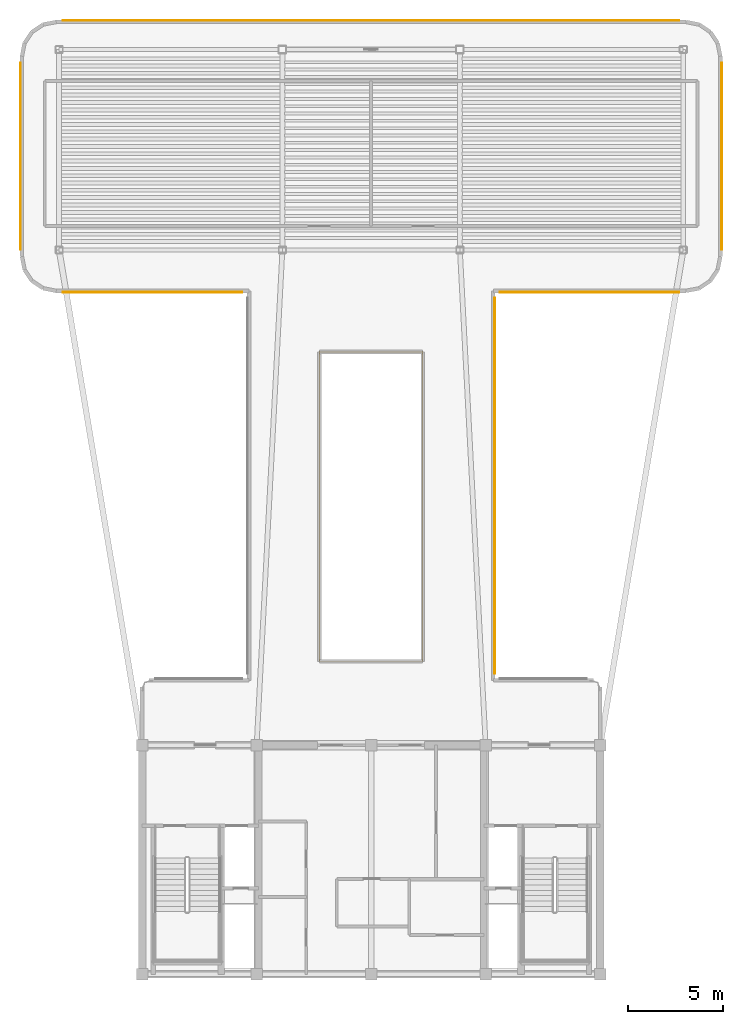
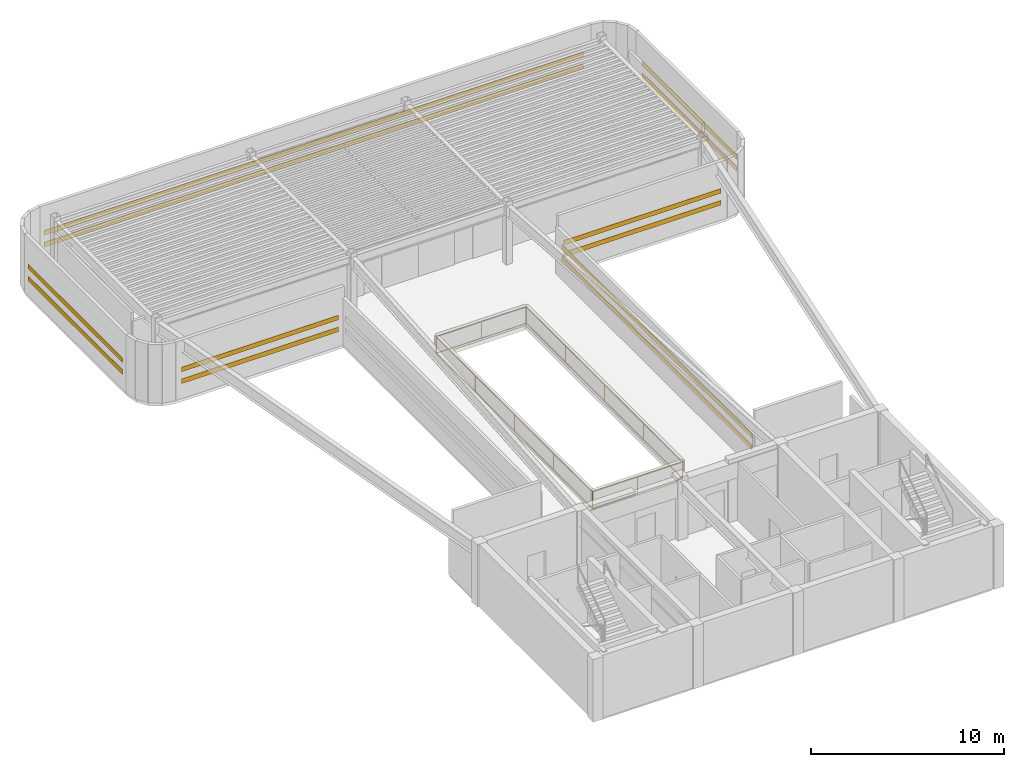
# One storey, part 6 of 6: 12 shading devices, 1 railing.
"""IFC4 building model written with IfcOpenShell, lengths in metres."""

from ifc_helpers import new_model, si_unit, direction, frame, origin, origin_2d, place, context, subcontext, project, spatial, rectangle, extrude, source, transform, mapped, material, layer, layer_set, material_profile, profile_set, type_object, element, save


model = new_model("IFC4")

# Units and contexts
model_context = context("Model", 3, precision=1e-05, world=origin(), true_north=direction((0.0, 1.0)))
body_context = subcontext(model_context, "Body", "Model", "MODEL_VIEW")
ifc_project = project(units=[si_unit("LENGTHUNIT", "METRE"), si_unit("AREAUNIT", "SQUARE_METRE"), si_unit("VOLUMEUNIT", "CUBIC_METRE"), si_unit("PLANEANGLEUNIT", "RADIAN"), si_unit("MASSUNIT", "GRAM", prefix="KILO")], contexts=[model_context])

# Site, building, storey
site_placement = place(None, origin())
site = spatial("IfcSite", under=ifc_project, at=site_placement, CompositionType="ELEMENT")
building_placement = place(site_placement, origin())
building = spatial("IfcBuilding", under=site, at=building_placement, Name="Brelvock Crest Care Tower", CompositionType="ELEMENT")
storey_placement = place(building_placement, frame((0.0, 0.0, 299.8798828125)))
storey = spatial("IfcBuildingStorey", under=building, at=storey_placement, Name="L76", CompositionType="ELEMENT", Elevation=299.8798828125)

# Railing
ifc_material_1 = material(Name="Steel Grade 350", Category="steel")
ifc_layer = layer(ifc_material_1, 0.06005859375, Name="RL-GRD1")
ifc_layer_set = layer_set([ifc_layer], Name="Steel Grade 350")
railing_type = type_object("IfcRailingType", Name="RL-GRD1", PredefinedType="GUARDRAIL", material=ifc_layer_set)
railing_placement = place(storey_placement, frame((33.300048828125, 22.39990234375, 0.004150390625)))
element("IfcRailing", 1, at=railing_placement, inside=storey, type_object=railing_type, Name="L76 Safety Balustrade PORTAL", PredefinedType="GUARDRAIL", context=body_context, shape_type="SweptSolid", body=[
    extrude(rectangle(XDim=0.048095703125, YDim=0.048095703125, at=origin_2d()), frame((0.001953125, 0.0, 1.09619140625), z_axis=(1.0, 0.0, 0.0), x_axis=(0.0, 1.0, 0.0)), (0.0, 0.0, 1.0), 5.39599609375),
    extrude(rectangle(XDim=0.048095703125, YDim=0.048095703125, at=origin_2d()), frame((0.001953125, 0.0, 0.054931640625), z_axis=(1.0, 0.0, 0.0), x_axis=(0.0, 1.0, 0.0)), (0.0, 0.0, 1.0), 5.39599609375),
    extrude(rectangle(XDim=0.048095703125, YDim=0.048095703125, at=origin_2d()), frame((5.39990234375, 0.001953125, 1.09619140625), z_axis=(0.0, 1.0, 0.0), x_axis=(-1.0, 0.0, 0.0)), (0.0, 0.0, 1.0), 16.1962890625),
    extrude(rectangle(XDim=0.048095703125, YDim=0.048095703125, at=origin_2d()), frame((5.39990234375, 0.001953125, 0.054931640625), z_axis=(0.0, 1.0, 0.0), x_axis=(-1.0, 0.0, 0.0)), (0.0, 0.0, 1.0), 16.1962890625),
    extrude(rectangle(XDim=0.048095703125, YDim=0.048095703125, at=origin_2d()), frame((5.39794921875, 16.2001953125, 1.09619140625), z_axis=(-1.0, 0.0, 0.0), x_axis=(0.0, -1.0, 0.0)), (0.0, 0.0, 1.0), 5.39599609375),
    extrude(rectangle(XDim=0.048095703125, YDim=0.048095703125, at=origin_2d()), frame((5.39794921875, 16.2001953125, 0.054931640625), z_axis=(-1.0, 0.0, 0.0), x_axis=(0.0, -1.0, 0.0)), (0.0, 0.0, 1.0), 5.39599609375),
    extrude(rectangle(XDim=0.048095703125, YDim=0.048095703125, at=origin_2d()), frame((0.0, 16.1982421875, 1.09619140625), z_axis=(0.0, -1.0, 0.0), x_axis=(1.0, 0.0, 0.0)), (0.0, 0.0, 1.0), 16.1962890625),
    extrude(rectangle(XDim=0.048095703125, YDim=0.048095703125, at=origin_2d()), frame((0.0, 16.1982421875, 0.054931640625), z_axis=(0.0, -1.0, 0.0), x_axis=(1.0, 0.0, 0.0)), (0.0, 0.0, 1.0), 16.1962890625),
    extrude(rectangle(XDim=0.0419921875, YDim=0.0419921875, at=origin_2d()), origin(), (0.0, 0.0, 1.0), 1.070068359375),
    extrude(rectangle(XDim=0.0419921875, YDim=0.0419921875, at=origin_2d()), frame((2.699951171875, 0.0, 0.0)), (0.0, 0.0, 1.0), 1.070068359375),
    extrude(rectangle(XDim=0.0419921875, YDim=0.0419921875, at=origin_2d()), frame((5.39990234375, 0.0, 0.0)), (0.0, 0.0, 1.0), 1.070068359375),
    extrude(rectangle(XDim=0.0419921875, YDim=0.0419921875, at=origin_2d()), frame((5.39990234375, 4.050048828125, 0.0)), (0.0, 0.0, 1.0), 1.070068359375),
    extrude(rectangle(XDim=0.0419921875, YDim=0.0419921875, at=origin_2d()), frame((5.39990234375, 8.10009765625, 0.0)), (0.0, 0.0, 1.0), 1.070068359375),
    extrude(rectangle(XDim=0.0419921875, YDim=0.0419921875, at=origin_2d()), frame((5.39990234375, 12.150146484375, 0.0)), (0.0, 0.0, 1.0), 1.070068359375),
    extrude(rectangle(XDim=0.0419921875, YDim=0.0419921875, at=origin_2d()), frame((5.39990234375, 16.2001953125, 0.0)), (0.0, 0.0, 1.0), 1.070068359375),
    extrude(rectangle(XDim=0.0419921875, YDim=0.0419921875, at=origin_2d()), frame((2.699951171875, 16.2001953125, 0.0)), (0.0, 0.0, 1.0), 1.070068359375),
    extrude(rectangle(XDim=0.0419921875, YDim=0.0419921875, at=origin_2d()), frame((0.0, 16.2001953125, 0.0)), (0.0, 0.0, 1.0), 1.070068359375),
    extrude(rectangle(XDim=0.0419921875, YDim=0.0419921875, at=origin_2d()), frame((0.0, 12.150146484375, 0.0)), (0.0, 0.0, 1.0), 1.070068359375),
    extrude(rectangle(XDim=0.0419921875, YDim=0.0419921875, at=origin_2d()), frame((0.0, 8.10009765625, 0.0)), (0.0, 0.0, 1.0), 1.070068359375),
    extrude(rectangle(XDim=0.0419921875, YDim=0.0419921875, at=origin_2d()), frame((0.0, 4.050048828125, 0.0)), (0.0, 0.0, 1.0), 1.070068359375),
])

# Shading devices
ifc_material_2 = material(Name="Aluminium 6063-T6", Category="aluminium")
ifc_material_profile_1 = material_profile(ifc_material_2, rectangle(XDim=0.044921875, YDim=0.300048828125, at=origin_2d()), Name="LOUVRE45x300")
ifc_profile_set_1 = profile_set([ifc_material_profile_1], Name="Aluminium 6063-T6")
shading_device_type_1 = type_object("IfcShadingDeviceType", Name="SHD-LV1", PredefinedType="JALOUSIE", material=ifc_profile_set_1)
shared_shape_1 = source(origin(), body_context, "Body", "SweptSolid", [
    extrude(rectangle(XDim=0.044921875, YDim=0.300048828125, at=origin_2d()), origin(), (0.0, 0.0, 1.0), 19.699951171875),
])
for number, where, z_axis, x_axis, name in (
    (2, (42.47509765625, 41.449951171875, 1.10009765625), (0.0, -1.0, 0.0), (1.0, 0.0, 0.0), "L76 Crown Acoustic Louvre 34-1"),
    (3, (42.47509765625, 41.449951171875, 1.85009765625), (0.0, -1.0, 0.0), (1.0, 0.0, 0.0), "L76 Crown Acoustic Louvre 34-2"),
):
    element("IfcShadingDevice", number, at=place(storey_placement, frame(where, z_axis=z_axis, x_axis=x_axis)), inside=storey, type_object=shading_device_type_1, Name=name, PredefinedType="JALOUSIE", context=body_context, shape_type="MappedRepresentation", body=[
        mapped(shared_shape_1, transform((0.0, 0.0, 0.0), x_axis=(1.0, 0.0, 0.0), y_axis=(0.0, 1.0, 0.0), z_axis=(0.0, 0.0, 1.0), scale=1.0)),
    ])
ifc_material_profile_2 = material_profile(ifc_material_2, rectangle(XDim=0.044921875, YDim=0.300048828125, at=origin_2d()), Name="LOUVRE45x300")
ifc_profile_set_2 = profile_set([ifc_material_profile_2], Name="Aluminium 6063-T6")
shading_device_type_2 = type_object("IfcShadingDeviceType", Name="SHD-SH1", PredefinedType="SHUTTER", material=ifc_profile_set_2)
shared_shape_2 = source(origin(), body_context, "Body", "SweptSolid", [
    extrude(rectangle(XDim=0.044921875, YDim=0.300048828125, at=origin_2d()), origin(), (0.0, 0.0, 1.0), 9.39990234375),
])
for number, where, z_axis, x_axis, name in (
    (4, (29.25, 41.72509765625, 1.10009765625), (-1.0, 0.0, 0.0), (0.0, -1.0, 0.0), "L76 Crown Acoustic Louvre 13-1"),
    (5, (29.25, 41.72509765625, 1.85009765625), (-1.0, 0.0, 0.0), (0.0, -1.0, 0.0), "L76 Crown Acoustic Louvre 13-2"),
    (6, (52.14990234375, 41.72509765625, 1.10009765625), (-1.0, 0.0, 0.0), (0.0, -1.0, 0.0), "L76 Crown Acoustic Louvre 33-1"),
    (7, (52.14990234375, 41.72509765625, 1.85009765625), (-1.0, 0.0, 0.0), (0.0, -1.0, 0.0), "L76 Crown Acoustic Louvre 33-2"),
):
    element("IfcShadingDevice", number, at=place(storey_placement, frame(where, z_axis=z_axis, x_axis=x_axis)), inside=storey, type_object=shading_device_type_2, Name=name, PredefinedType="SHUTTER", context=body_context, shape_type="MappedRepresentation", body=[
        mapped(shared_shape_2, transform((0.0, 0.0, 0.0), x_axis=(1.0, 0.0, 0.0), y_axis=(0.0, 1.0, 0.0), z_axis=(0.0, 0.0, 1.0), scale=1.0)),
    ])
shared_shape_3 = source(origin(), body_context, "Body", "SweptSolid", [
    extrude(rectangle(XDim=0.044921875, YDim=0.300048828125, at=origin_2d()), origin(), (0.0, 0.0, 1.0), 9.800048828125),
])
for number, where, z_axis, x_axis, name in (
    (8, (17.625, 43.949951171875, 1.10009765625), (0.0, 1.0, 0.0), (-1.0, 0.0, 0.0), "L76 Crown Acoustic Louvre 18-1"),
    (9, (17.625, 43.949951171875, 1.85009765625), (0.0, 1.0, 0.0), (-1.0, 0.0, 0.0), "L76 Crown Acoustic Louvre 18-2"),
    (10, (54.375, 53.75, 1.10009765625), (0.0, -1.0, 0.0), (1.0, 0.0, 0.0), "L76 Crown Acoustic Louvre 28-1"),
    (11, (54.375, 53.75, 1.85009765625), (0.0, -1.0, 0.0), (1.0, 0.0, 0.0), "L76 Crown Acoustic Louvre 28-2"),
):
    element("IfcShadingDevice", number, at=place(storey_placement, frame(where, z_axis=z_axis, x_axis=x_axis)), inside=storey, type_object=shading_device_type_1, Name=name, PredefinedType="JALOUSIE", context=body_context, shape_type="MappedRepresentation", body=[
        mapped(shared_shape_3, transform((0.0, 0.0, 0.0), x_axis=(1.0, 0.0, 0.0), y_axis=(0.0, 1.0, 0.0), z_axis=(0.0, 0.0, 1.0), scale=1.0)),
    ])
shared_shape_4 = source(origin(), body_context, "Body", "SweptSolid", [
    extrude(rectangle(XDim=0.044921875, YDim=0.300048828125, at=origin_2d()), origin(), (0.0, 0.0, 1.0), 32.2998046875),
])
for number, where, z_axis, x_axis, name in (
    (12, (19.85009765625, 55.97509765625, 1.10009765625), (1.0, 0.0, 0.0), (0.0, 1.0, 0.0), "L76 Crown Acoustic Louvre 23-1"),
    (13, (19.85009765625, 55.97509765625, 1.85009765625), (1.0, 0.0, 0.0), (0.0, 1.0, 0.0), "L76 Crown Acoustic Louvre 23-2"),
):
    element("IfcShadingDevice", number, at=place(storey_placement, frame(where, z_axis=z_axis, x_axis=x_axis)), inside=storey, type_object=shading_device_type_2, Name=name, PredefinedType="SHUTTER", context=body_context, shape_type="MappedRepresentation", body=[
        mapped(shared_shape_4, transform((0.0, 0.0, 0.0), x_axis=(1.0, 0.0, 0.0), y_axis=(0.0, 1.0, 0.0), z_axis=(0.0, 0.0, 1.0), scale=1.0)),
    ])

save(model, "model.ifc")
